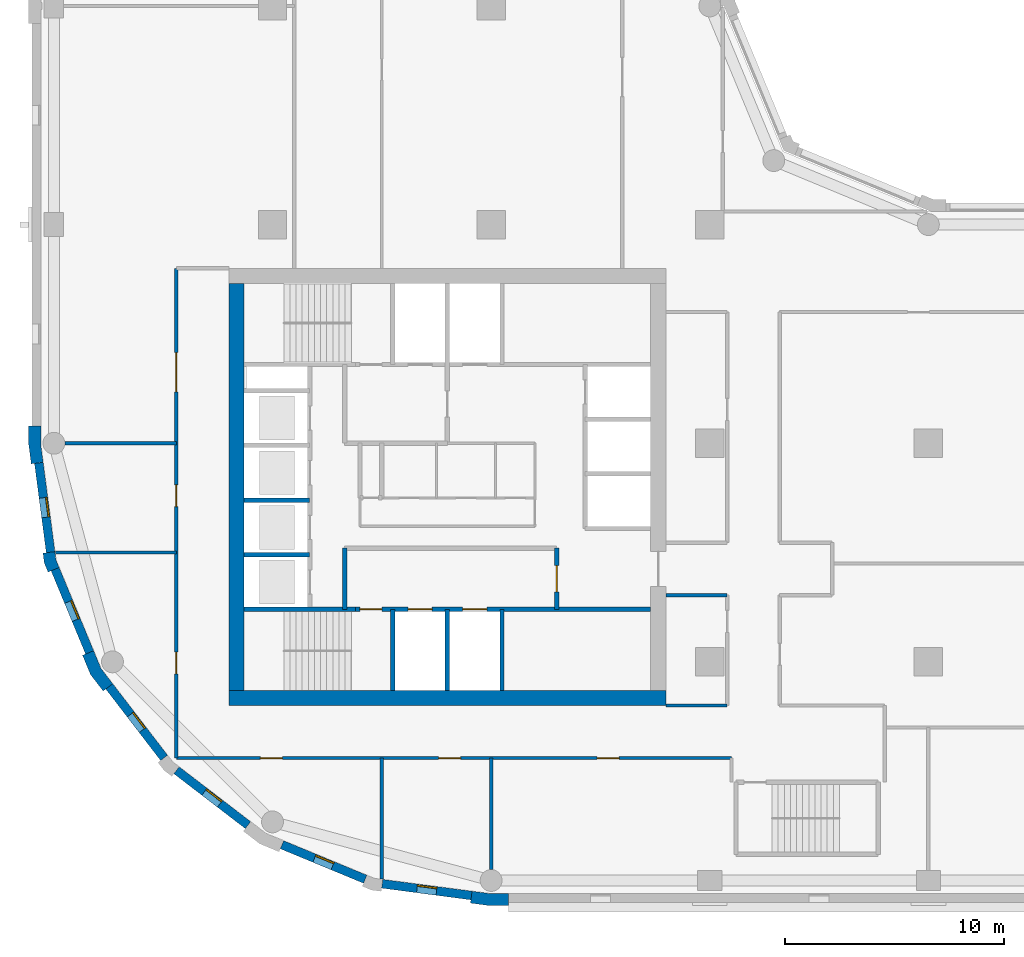
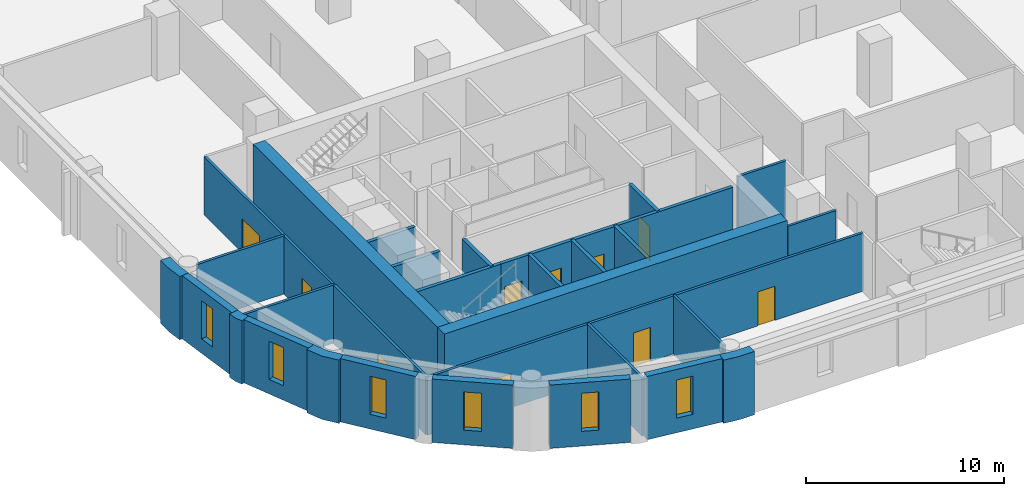
# One storey, part 2 of 9: 29 walls, 10 doors, 6 windows, 16 openings.
"""IFC4 building model written with IfcOpenShell, lengths in metres."""

from ifc_helpers import new_model, si_unit, direction, frame, frame_2d, origin, place, context, subcontext, project, spatial, polyline, rectangle, outline, extrude, material, layer, layer_set, type_object, element, fill, save


model = new_model("IFC4")

# Units and contexts
model_context = context("Model", 3, precision=1e-05, world=origin(), true_north=direction((0.0, 1.0)))
body_context = subcontext(model_context, "Body", "Model", "MODEL_VIEW")
ifc_project = project(units=[si_unit("LENGTHUNIT", "METRE"), si_unit("AREAUNIT", "SQUARE_METRE"), si_unit("VOLUMEUNIT", "CUBIC_METRE"), si_unit("PLANEANGLEUNIT", "RADIAN"), si_unit("MASSUNIT", "GRAM", prefix="KILO")], contexts=[model_context])

# Site, building, storey
site_placement = place(None, origin())
site = spatial("IfcSite", under=ifc_project, at=site_placement, CompositionType="ELEMENT")
building_placement = place(site_placement, origin())
building = spatial("IfcBuilding", under=site, at=building_placement, Name="Qaws Garden Tower", CompositionType="ELEMENT")
storey_placement = place(building_placement, frame((0.0, 0.0, 131.699951171875)))
storey = spatial("IfcBuildingStorey", under=building, at=storey_placement, Name="L31", CompositionType="ELEMENT", Elevation=131.699951171875)

# Wall, opening, window
ifc_material_1 = material(Name="Clay facing brick masonry", Category="masonry")
ifc_layer_1 = layer(ifc_material_1, 0.39990234375)
ifc_layer_set_1 = layer_set([ifc_layer_1], Name="Clay facing brick masonry")
wall_type_1 = type_object("IfcWallType", Name="Brick infill wall 400", PredefinedType="SOLIDWALL", material=ifc_layer_set_1)
wall_1_placement = place(storey_placement, frame((-0.688720703125, 19.102294921875, 0.0), z_axis=(0.0, 0.0, 1.0), x_axis=(0.130514280502, -0.991446429508, 0.0)))
wall_1 = element("IfcWall", 1, at=wall_1_placement, inside=storey, type_object=wall_type_1, Name="E-L31-infill-25", PredefinedType="SOLIDWALL", context=body_context, shape_type="SweptSolid", body=[
    extrude(rectangle(XDim=4.120849609375, YDim=0.39990234375, at=frame_2d((2.060546875, 0.0))), origin(), (0.0, 0.0, 1.0), 3.900146484375),
])
opening_1_placement = place(wall_1_placement, frame((1.610595703125, 0.0, 0.89990234375)))
opening_1 = element("IfcOpeningElement", 2, at=opening_1_placement, cuts=wall_1, Name="Opening W09", PredefinedType="OPENING", context=body_context, shape_type="SweptSolid", body=[
    extrude(rectangle(XDim=0.89990234375, YDim=2.35009765625, at=frame_2d((0.449951171875, 1.175048828125))), frame((0.0, 0.2099609375, 0.0), z_axis=(0.0, -1.0, 0.0), x_axis=(1.0, 0.0, 0.0)), (0.0, 0.0, 1.0), 0.419921875),
])
ifc_material_2 = material(Name="Aluminium framed window, clear glazing", Category="aluminium")
window_type = type_object("IfcWindowType", Name="Slit window 900 x 2350", PartitioningType="SINGLE_PANEL", PredefinedType="WINDOW", material=ifc_material_2)
window_1_placement = place(opening_1_placement, origin())
window_1 = element("IfcWindow", 3, at=window_1_placement, inside=storey, type_object=window_type, Name="E-L31-window-25-0", OverallHeight=2.35009765625, OverallWidth=0.89990234375, PartitioningType="SINGLE_PANEL", PredefinedType="WINDOW", context=body_context, shape_type="SweptSolid", body=[
    extrude(rectangle(XDim=0.89990234375, YDim=2.35009765625, at=frame_2d((0.449951171875, 1.175048828125))), frame((0.0, 0.159912109375, 0.0), z_axis=(0.0, -1.0, 0.0), x_axis=(1.0, 0.0, 0.0)), (0.0, 0.0, 1.0), 0.06005859375),
])
fill(opening_1, window_1)

wall_2_placement = place(storey_placement, frame((0.05712890625, 14.240234375, 0.0), z_axis=(0.0, 0.0, 1.0), x_axis=(0.382721546029, -0.923863744394, 0.0)))
wall_2 = element("IfcWall", 4, at=wall_2_placement, inside=storey, type_object=wall_type_1, Name="E-L31-infill-26", PredefinedType="SOLIDWALL", context=body_context, shape_type="SweptSolid", body=[
    extrude(rectangle(XDim=4.120849609375, YDim=0.39990234375, at=frame_2d((2.060546875, 0.0))), origin(), (0.0, 0.0, 1.0), 3.900146484375),
])
opening_2_placement = place(wall_2_placement, frame((1.610595703125, 0.0, 0.89990234375)))
opening_2 = element("IfcOpeningElement", 5, at=opening_2_placement, cuts=wall_2, Name="Opening W09", PredefinedType="OPENING", context=body_context, shape_type="SweptSolid", body=[
    extrude(rectangle(XDim=0.89990234375, YDim=2.35009765625, at=frame_2d((0.449951171875, 1.175048828125))), frame((0.0, 0.2099609375, 0.0), z_axis=(0.0, -1.0, 0.0), x_axis=(1.0, 0.0, 0.0)), (0.0, 0.0, 1.0), 0.419921875),
])
window_2_placement = place(opening_2_placement, origin())
window_2 = element("IfcWindow", 6, at=window_2_placement, inside=storey, type_object=window_type, Name="E-L31-window-26-0", OverallHeight=2.35009765625, OverallWidth=0.89990234375, PartitioningType="SINGLE_PANEL", PredefinedType="WINDOW", context=body_context, shape_type="SweptSolid", body=[
    extrude(rectangle(XDim=0.89990234375, YDim=2.35009765625, at=frame_2d((0.449951171875, 1.175048828125))), frame((0.0, 0.159912109375, 0.0), z_axis=(0.0, -1.0, 0.0), x_axis=(1.0, 0.0, 0.0)), (0.0, 0.0, 1.0), 0.06005859375),
])
fill(opening_2, window_2)

wall_3_placement = place(storey_placement, frame((2.53173828125, 8.87841796875, 0.0), z_axis=(0.0, 0.0, 1.0), x_axis=(0.608759824817, -0.793354571229, 0.0)))
wall_3 = element("IfcWall", 7, at=wall_3_placement, inside=storey, type_object=wall_type_1, Name="E-L31-infill-27", PredefinedType="SOLIDWALL", context=body_context, shape_type="SweptSolid", body=[
    extrude(rectangle(XDim=4.12109375, YDim=0.39990234375, at=frame_2d((2.060546875, 0.0))), origin(), (0.0, 0.0, 1.0), 3.900146484375),
])
opening_3_placement = place(wall_3_placement, frame((1.610595703125, 0.0, 0.89990234375)))
opening_3 = element("IfcOpeningElement", 8, at=opening_3_placement, cuts=wall_3, Name="Opening W09", PredefinedType="OPENING", context=body_context, shape_type="SweptSolid", body=[
    extrude(rectangle(XDim=0.89990234375, YDim=2.35009765625, at=frame_2d((0.449951171875, 1.175048828125))), frame((0.0, 0.2099609375, 0.0), z_axis=(0.0, -1.0, 0.0), x_axis=(1.0, 0.0, 0.0)), (0.0, 0.0, 1.0), 0.419921875),
])
window_3_placement = place(opening_3_placement, origin())
window_3 = element("IfcWindow", 9, at=window_3_placement, inside=storey, type_object=window_type, Name="E-L31-window-27-0", OverallHeight=2.35009765625, OverallWidth=0.89990234375, PartitioningType="SINGLE_PANEL", PredefinedType="WINDOW", context=body_context, shape_type="SweptSolid", body=[
    extrude(rectangle(XDim=0.89990234375, YDim=2.35009765625, at=frame_2d((0.449951171875, 1.175048828125))), frame((0.0, 0.159912109375, 0.0), z_axis=(0.0, -1.0, 0.0), x_axis=(1.0, 0.0, 0.0)), (0.0, 0.0, 1.0), 0.06005859375),
])
fill(opening_3, window_3)

wall_4_placement = place(storey_placement, frame((5.60888671875, 5.04052734375, 0.0), z_axis=(0.0, 0.0, 1.0), x_axis=(0.793354571229, -0.608759824817, 0.0)))
wall_4 = element("IfcWall", 10, at=wall_4_placement, inside=storey, type_object=wall_type_1, Name="E-L31-infill-28", PredefinedType="SOLIDWALL", context=body_context, shape_type="SweptSolid", body=[
    extrude(rectangle(XDim=4.12109375, YDim=0.39990234375, at=frame_2d((2.060546875, 0.0))), origin(), (0.0, 0.0, 1.0), 3.900146484375),
])
opening_4_placement = place(wall_4_placement, frame((1.610595703125, 0.0, 0.89990234375)))
opening_4 = element("IfcOpeningElement", 11, at=opening_4_placement, cuts=wall_4, Name="Opening W09", PredefinedType="OPENING", context=body_context, shape_type="SweptSolid", body=[
    extrude(rectangle(XDim=0.89990234375, YDim=2.35009765625, at=frame_2d((0.449951171875, 1.175048828125))), frame((0.0, 0.2099609375, 0.0), z_axis=(0.0, -1.0, 0.0), x_axis=(1.0, 0.0, 0.0)), (0.0, 0.0, 1.0), 0.419921875),
])
window_4_placement = place(opening_4_placement, origin())
window_4 = element("IfcWindow", 12, at=window_4_placement, inside=storey, type_object=window_type, Name="E-L31-window-28-0", OverallHeight=2.35009765625, OverallWidth=0.89990234375, PartitioningType="SINGLE_PANEL", PredefinedType="WINDOW", context=body_context, shape_type="SweptSolid", body=[
    extrude(rectangle(XDim=0.89990234375, YDim=2.35009765625, at=frame_2d((0.449951171875, 1.175048828125))), frame((0.0, 0.159912109375, 0.0), z_axis=(0.0, -1.0, 0.0), x_axis=(1.0, 0.0, 0.0)), (0.0, 0.0, 1.0), 0.06005859375),
])
fill(opening_4, window_4)

wall_5_placement = place(storey_placement, frame((10.43310546875, 1.63427734375, 0.0), z_axis=(0.0, 0.0, 1.0), x_axis=(0.923863744394, -0.382721546029, 0.0)))
wall_5 = element("IfcWall", 13, at=wall_5_placement, inside=storey, type_object=wall_type_1, Name="E-L31-infill-29", PredefinedType="SOLIDWALL", context=body_context, shape_type="SweptSolid", body=[
    extrude(rectangle(XDim=4.120849609375, YDim=0.39990234375, at=frame_2d((2.060546875, 0.0))), origin(), (0.0, 0.0, 1.0), 3.900146484375),
])
opening_5_placement = place(wall_5_placement, frame((1.610595703125, 0.0, 0.89990234375)))
opening_5 = element("IfcOpeningElement", 14, at=opening_5_placement, cuts=wall_5, Name="Opening W09", PredefinedType="OPENING", context=body_context, shape_type="SweptSolid", body=[
    extrude(rectangle(XDim=0.89990234375, YDim=2.35009765625, at=frame_2d((0.449951171875, 1.175048828125))), frame((0.0, 0.2099609375, 0.0), z_axis=(0.0, -1.0, 0.0), x_axis=(1.0, 0.0, 0.0)), (0.0, 0.0, 1.0), 0.419921875),
])
window_5_placement = place(opening_5_placement, origin())
window_5 = element("IfcWindow", 15, at=window_5_placement, inside=storey, type_object=window_type, Name="E-L31-window-29-0", OverallHeight=2.35009765625, OverallWidth=0.89990234375, PartitioningType="SINGLE_PANEL", PredefinedType="WINDOW", context=body_context, shape_type="SweptSolid", body=[
    extrude(rectangle(XDim=0.89990234375, YDim=2.35009765625, at=frame_2d((0.449951171875, 1.175048828125))), frame((0.0, 0.159912109375, 0.0), z_axis=(0.0, -1.0, 0.0), x_axis=(1.0, 0.0, 0.0)), (0.0, 0.0, 1.0), 0.06005859375),
])
fill(opening_5, window_5)

wall_6_placement = place(storey_placement, frame((15.0166015625, -0.15087890625, 0.0), z_axis=(0.0, 0.0, 1.0), x_axis=(0.991446429508, -0.130514280502, 0.0)))
wall_6 = element("IfcWall", 16, at=wall_6_placement, inside=storey, type_object=wall_type_1, Name="E-L31-infill-30", PredefinedType="SOLIDWALL", context=body_context, shape_type="SweptSolid", body=[
    extrude(rectangle(XDim=4.120849609375, YDim=0.39990234375, at=frame_2d((2.060546875, 0.0))), origin(), (0.0, 0.0, 1.0), 3.900146484375),
])
opening_6_placement = place(wall_6_placement, frame((1.610595703125, 0.0, 0.89990234375)))
opening_6 = element("IfcOpeningElement", 17, at=opening_6_placement, cuts=wall_6, Name="Opening W09", PredefinedType="OPENING", context=body_context, shape_type="SweptSolid", body=[
    extrude(rectangle(XDim=0.89990234375, YDim=2.35009765625, at=frame_2d((0.449951171875, 1.175048828125))), frame((0.0, 0.2099609375, 0.0), z_axis=(0.0, -1.0, 0.0), x_axis=(1.0, 0.0, 0.0)), (0.0, 0.0, 1.0), 0.419921875),
])
window_6_placement = place(opening_6_placement, origin())
window_6 = element("IfcWindow", 18, at=window_6_placement, inside=storey, type_object=window_type, Name="E-L31-window-30-0", OverallHeight=2.35009765625, OverallWidth=0.89990234375, PartitioningType="SINGLE_PANEL", PredefinedType="WINDOW", context=body_context, shape_type="SweptSolid", body=[
    extrude(rectangle(XDim=0.89990234375, YDim=2.35009765625, at=frame_2d((0.449951171875, 1.175048828125))), frame((0.0, 0.159912109375, 0.0), z_axis=(0.0, -1.0, 0.0), x_axis=(1.0, 0.0, 0.0)), (0.0, 0.0, 1.0), 0.06005859375),
])
fill(opening_6, window_6)

# Walls
ifc_material_3 = material(Name="Clay facing brick masonry", Category="masonry")
ifc_layer_2 = layer(ifc_material_3, 0.550048828125)
ifc_layer_set_2 = layer_set([ifc_layer_2], Name="Clay facing brick masonry")
wall_type_2 = type_object("IfcWallType", Name="Brick kink pier 550 x 600", PredefinedType="SOLIDWALL", material=ifc_layer_set_2)
placement = place(storey_placement, origin())
element("IfcWall", 19, at=placement, inside=storey, type_object=wall_type_2, Name="E-L31-pier-26", PredefinedType="SOLIDWALL", context=body_context, shape_type="SweptSolid", body=[
    extrude(outline(polyline([(-0.34912109375, 14.990478515625), (-0.497802734375, 14.970947265625), (-0.43896484375, 14.5234375), (-0.26611328125, 14.1064453125), (-0.127685546875, 14.163818359375), (0.241943359375, 14.31689453125), (0.096923828125, 14.6669921875), (0.04736328125, 15.042724609375), (-0.34912109375, 14.990478515625)])), origin(), (0.0, 0.0, 1.0), 3.900146484375),
])
ifc_material_4 = material(Name="Clay facing brick masonry", Category="masonry")
ifc_layer_3 = layer(ifc_material_4, 0.550048828125)
ifc_layer_set_3 = layer_set([ifc_layer_3], Name="Clay facing brick masonry")
wall_type_3 = type_object("IfcWallType", Name="Brick pier 550 x 1600", PredefinedType="SOLIDWALL", material=ifc_layer_set_3)
element("IfcWall", 20, at=placement, inside=storey, type_object=wall_type_3, Name="E-L31-pier-00", PredefinedType="SOLIDWALL", context=body_context, shape_type="SweptSolid", body=[
    extrude(outline(polyline([(19.076416015625, -0.886962890625), (19.056640625, -1.03564453125), (19.924560546875, -1.14990234375), (20.800048828125, -1.14990234375), (20.800048828125, -1.0), (20.800048828125, -0.60009765625), (19.960693359375, -0.60009765625), (19.12841796875, -0.490478515625), (19.076416015625, -0.886962890625)])), origin(), (0.0, 0.0, 1.0), 3.900146484375),
])
element("IfcWall", 21, at=placement, inside=storey, type_object=wall_type_3, Name="E-L31-pier-25", PredefinedType="SOLIDWALL", context=body_context, shape_type="SweptSolid", body=[
    extrude(outline(polyline([(-1.0, 20.800048828125), (-1.14990234375, 20.800048828125), (-1.14990234375, 19.924560546875), (-1.03564453125, 19.056640625), (-0.886962890625, 19.076416015625), (-0.490478515625, 19.12841796875), (-0.60009765625, 19.960693359375), (-0.60009765625, 20.800048828125), (-1.0, 20.800048828125)])), origin(), (0.0, 0.0, 1.0), 3.900146484375),
])
element("IfcWall", 22, at=placement, inside=storey, type_object=wall_type_3, Name="E-L31-pier-27", PredefinedType="SOLIDWALL", context=body_context, shape_type="SweptSolid", body=[
    extrude(outline(polyline([(1.449462890625, 10.3564453125), (1.310791015625, 10.299072265625), (1.675048828125, 9.419921875), (2.254150390625, 8.665283203125), (2.373046875, 8.756591796875), (2.6904296875, 9.0), (2.1552734375, 9.697509765625), (1.819091796875, 10.509521484375), (1.449462890625, 10.3564453125)])), origin(), (0.0, 0.0, 1.0), 3.900146484375),
])
ifc_material_5 = material(Name="Concrete C70", Category="concrete")
ifc_layer_4 = layer(ifc_material_5, 0.199951171875)
ifc_layer_set_4 = layer_set([ifc_layer_4], Name="Concrete C70")
wall_type_4 = type_object("IfcWallType", Name="Core shaft wall 200 C70", PredefinedType="SHEAR", material=ifc_layer_set_4)
wall_11_placement = place(storey_placement, frame((8.699951171875, 12.39990234375, 0.0), z_axis=(0.0, 0.0, 1.0), x_axis=(1.0, 0.0, 0.0)))
element("IfcWall", 23, at=wall_11_placement, inside=storey, type_object=wall_type_4, Name="Shaft wall", PredefinedType="SHEAR", context=body_context, shape_type="SweptSolid", body=[
    extrude(rectangle(XDim=5.10009765625, YDim=0.199951171875, at=frame_2d((2.550048828125, 0.0))), origin(), (0.0, 0.0, 1.0), 3.580078125),
])

# Wall, openings, doors
wall_12_placement = place(storey_placement, frame((13.800048828125, 12.39990234375, 0.0), z_axis=(0.0, 0.0, 1.0), x_axis=(1.0, 0.0, 0.0)))
wall_12 = element("IfcWall", 24, at=wall_12_placement, inside=storey, type_object=wall_type_4, Name="Shaft wall", PredefinedType="SHEAR", context=body_context, shape_type="SweptSolid", body=[
    extrude(rectangle(XDim=13.5, YDim=0.199951171875, at=frame_2d((6.75, 0.0))), origin(), (0.0, 0.0, 1.0), 3.580078125),
])
opening_7_placement = place(wall_12_placement, frame((2.39990234375, 0.0, 0.0)))
opening_7 = element("IfcOpeningElement", 25, at=opening_7_placement, cuts=wall_12, Name="Opening LD06", PredefinedType="OPENING", context=body_context, shape_type="SweptSolid", body=[
    extrude(rectangle(XDim=1.10009765625, YDim=2.10009765625, at=frame_2d((0.550048828125, 1.050048828125))), frame((0.0, 0.10986328125, 0.0), z_axis=(0.0, -1.0, 0.0), x_axis=(1.0, 0.0, 0.0)), (0.0, 0.0, 1.0), 0.219970703125),
])
opening_8_placement = place(wall_12_placement, frame((4.89990234375, 0.0, 0.0)))
opening_8 = element("IfcOpeningElement", 26, at=opening_8_placement, cuts=wall_12, Name="Opening LD07", PredefinedType="OPENING", context=body_context, shape_type="SweptSolid", body=[
    extrude(rectangle(XDim=1.10009765625, YDim=2.10009765625, at=frame_2d((0.550048828125, 1.050048828125))), frame((0.0, 0.10986328125, 0.0), z_axis=(0.0, -1.0, 0.0), x_axis=(1.0, 0.0, 0.0)), (0.0, 0.0, 1.0), 0.219970703125),
])
opening_9_placement = place(wall_12_placement, frame((0.199951171875, 0.0, 0.0)))
opening_9 = element("IfcOpeningElement", 27, at=opening_9_placement, cuts=wall_12, Name="Opening SD10", PredefinedType="OPENING", context=body_context, shape_type="SweptSolid", body=[
    extrude(rectangle(XDim=1.0, YDim=2.10009765625, at=frame_2d((0.5, 1.050048828125))), frame((0.0, 0.10986328125, 0.0), z_axis=(0.0, -1.0, 0.0), x_axis=(1.0, 0.0, 0.0)), (0.0, 0.0, 1.0), 0.219970703125),
])
ifc_material_6 = material(Name="Steel S235", Category="steel")
door_type_1 = type_object("IfcDoorType", Name="Landing door 1100x2100", OperationType="DOUBLE_DOOR_SLIDING", PredefinedType="DOOR", material=ifc_material_6)
door_1_placement = place(opening_7_placement, origin())
door_1 = element("IfcDoor", 28, at=door_1_placement, inside=storey, type_object=door_type_1, Name="Lift FF1 landing door", OperationType="DOUBLE_DOOR_SLIDING", OverallHeight=2.10009765625, OverallWidth=1.10009765625, PredefinedType="DOOR", context=body_context, shape_type="SweptSolid", body=[
    extrude(rectangle(XDim=1.10009765625, YDim=2.10009765625, at=frame_2d((0.550048828125, 1.050048828125))), frame((0.0, 0.02490234375, 0.0), z_axis=(0.0, -1.0, 0.0), x_axis=(1.0, 0.0, 0.0)), (0.0, 0.0, 1.0), 0.050048828125),
])
fill(opening_7, door_1)
door_2_placement = place(opening_8_placement, origin())
door_2 = element("IfcDoor", 29, at=door_2_placement, inside=storey, type_object=door_type_1, Name="Lift FF2 landing door", OperationType="DOUBLE_DOOR_SLIDING", OverallHeight=2.10009765625, OverallWidth=1.10009765625, PredefinedType="DOOR", context=body_context, shape_type="SweptSolid", body=[
    extrude(rectangle(XDim=1.10009765625, YDim=2.10009765625, at=frame_2d((0.550048828125, 1.050048828125))), frame((0.0, 0.02490234375, 0.0), z_axis=(0.0, -1.0, 0.0), x_axis=(1.0, 0.0, 0.0)), (0.0, 0.0, 1.0), 0.050048828125),
])
fill(opening_8, door_2)
ifc_material_7 = material(Name="Steel S235", Category="steel")
door_type_2 = type_object("IfcDoorType", Name="Stair door 1000x2100", OperationType="SINGLE_SWING_RIGHT", PredefinedType="DOOR", material=ifc_material_7)
door_3_placement = place(opening_9_placement, frame((1.0, 0.0, 0.0), z_axis=(0.0, 0.0, 1.0), x_axis=(-1.0, 0.0, 0.0)))
door_3 = element("IfcDoor", 30, at=door_3_placement, inside=storey, type_object=door_type_2, Name="Stair 1 door", OperationType="SINGLE_SWING_LEFT", OverallHeight=2.10009765625, OverallWidth=1.0, PredefinedType="DOOR", context=body_context, shape_type="SweptSolid", body=[
    extrude(rectangle(XDim=1.0, YDim=2.10009765625, at=frame_2d((0.5, 1.050048828125))), frame((0.0, 0.02490234375, 0.0), z_axis=(0.0, -1.0, 0.0), x_axis=(1.0, 0.0, 0.0)), (0.0, 0.0, 1.0), 0.050048828125),
])
fill(opening_9, door_3)

# Walls
for number, where, z_axis, x_axis, name in (
    (31, (8.699951171875, 14.89990234375, 0.0), (0.0, 0.0, 1.0), (1.0, 0.0, 0.0), "Shaft wall"),
    (32, (8.699951171875, 17.39990234375, 0.0), (0.0, 0.0, 1.0), (1.0, 0.0, 0.0), "Shaft wall"),
):
    element("IfcWall", number, at=place(storey_placement, frame(where, z_axis=z_axis, x_axis=x_axis)), inside=storey, type_object=wall_type_4, Name=name, PredefinedType="SHEAR", context=body_context, shape_type="SweptSolid", body=[
        extrude(rectangle(XDim=3.0, YDim=0.199951171875, at=frame_2d((1.5, 0.0))), origin(), (0.0, 0.0, 1.0), 3.580078125),
    ])
wall_13_placement = place(storey_placement, frame((13.300048828125, 12.39990234375, 0.0), z_axis=(0.0, 0.0, 1.0), x_axis=(0.0, 1.0, 0.0)))
element("IfcWall", 33, at=wall_13_placement, inside=storey, type_object=wall_type_4, Name="Shaft wall", PredefinedType="SHEAR", context=body_context, shape_type="SweptSolid", body=[
    extrude(rectangle(XDim=2.800048828125, YDim=0.199951171875, at=frame_2d((1.39990234375, 0.0))), origin(), (0.0, 0.0, 1.0), 3.580078125),
])
for number, where, z_axis, x_axis, name in (
    (34, (15.5, 8.699951171875, 0.0), (0.0, 0.0, 1.0), (0.0, 1.0, 0.0), "Shaft wall"),
    (35, (18.0, 8.699951171875, 0.0), (0.0, 0.0, 1.0), (0.0, 1.0, 0.0), "Shaft wall"),
    (36, (20.5, 8.699951171875, 0.0), (0.0, 0.0, 1.0), (0.0, 1.0, 0.0), "Shaft wall"),
):
    element("IfcWall", number, at=place(storey_placement, frame(where, z_axis=z_axis, x_axis=x_axis)), inside=storey, type_object=wall_type_4, Name=name, PredefinedType="SHEAR", context=body_context, shape_type="SweptSolid", body=[
        extrude(rectangle(XDim=3.699951171875, YDim=0.199951171875, at=frame_2d((1.85009765625, 0.0))), origin(), (0.0, 0.0, 1.0), 3.580078125),
    ])

# Wall, opening, door
wall_14_placement = place(storey_placement, frame((23.0, 12.39990234375, 0.0), z_axis=(0.0, 0.0, 1.0), x_axis=(0.0, 1.0, 0.0)))
wall_14 = element("IfcWall", 37, at=wall_14_placement, inside=storey, type_object=wall_type_4, Name="Shaft wall", PredefinedType="SHEAR", context=body_context, shape_type="SweptSolid", body=[
    extrude(rectangle(XDim=2.800048828125, YDim=0.199951171875, at=frame_2d((1.39990234375, 0.0))), origin(), (0.0, 0.0, 1.0), 3.580078125),
])
opening_10_placement = place(wall_14_placement, frame((0.800048828125, 0.0, 0.0)))
opening_10 = element("IfcOpeningElement", 38, at=opening_10_placement, cuts=wall_14, Name="Opening FD15", PredefinedType="OPENING", context=body_context, shape_type="SweptSolid", body=[
    extrude(rectangle(XDim=1.199951171875, YDim=2.10009765625, at=frame_2d((0.60009765625, 1.050048828125))), frame((0.0, 0.10986328125, 0.0), z_axis=(0.0, -1.0, 0.0), x_axis=(1.0, 0.0, 0.0)), (0.0, 0.0, 1.0), 0.219970703125),
])
ifc_material_8 = material(Name="Steel S235", Category="steel")
door_type_3 = type_object("IfcDoorType", Name="Lobby door 1200x2100", OperationType="DOUBLE_DOOR_SINGLE_SWING", PredefinedType="DOOR", material=ifc_material_8)
door_4_placement = place(opening_10_placement, origin())
door_4 = element("IfcDoor", 39, at=door_4_placement, inside=storey, type_object=door_type_3, Name="Fire-fighting lobby door", OperationType="DOUBLE_DOOR_SINGLE_SWING", OverallHeight=2.10009765625, OverallWidth=1.199951171875, PredefinedType="DOOR", context=body_context, shape_type="SweptSolid", body=[
    extrude(rectangle(XDim=1.199951171875, YDim=2.10009765625, at=frame_2d((0.60009765625, 1.050048828125))), frame((0.0, 0.02490234375, 0.0), z_axis=(0.0, -1.0, 0.0), x_axis=(1.0, 0.0, 0.0)), (0.0, 0.0, 1.0), 0.050048828125),
])
fill(opening_10, door_4)

# Walls
ifc_material_9 = material(Name="Concrete C70", Category="concrete")
ifc_layer_5 = layer(ifc_material_9, 0.699951171875)
ifc_layer_set_5 = layer_set([ifc_layer_5], Name="Concrete C70")
wall_type_5 = type_object("IfcWallType", Name="Core wall 700 C70", PredefinedType="SHEAR", material=ifc_layer_set_5)
wall_15_placement = place(storey_placement, frame((8.0, 8.35009765625, 0.0), z_axis=(0.0, 0.0, 1.0), x_axis=(1.0, 0.0, 0.0)))
element("IfcWall", 40, at=wall_15_placement, inside=storey, type_object=wall_type_5, Name="Core wall L31 south", PredefinedType="SHEAR", context=body_context, shape_type="SweptSolid", body=[
    extrude(rectangle(XDim=20.0, YDim=0.699951171875, at=frame_2d((10.0, 0.0))), origin(), (0.0, 0.0, 1.0), 3.900146484375),
])
wall_16_placement = place(storey_placement, frame((8.35009765625, 27.300048828125, 0.0), z_axis=(0.0, 0.0, 1.0), x_axis=(0.0, -1.0, 0.0)))
element("IfcWall", 41, at=wall_16_placement, inside=storey, type_object=wall_type_5, Name="Core wall L31 west", PredefinedType="SHEAR", context=body_context, shape_type="SweptSolid", body=[
    extrude(rectangle(XDim=18.60009765625, YDim=0.699951171875, at=frame_2d((9.300048828125, 0.0))), origin(), (0.0, 0.0, 1.0), 3.900146484375),
])

# Wall, openings, doors
ifc_material_10 = material(Name="Gypsum board partition")
ifc_layer_6 = layer(ifc_material_10, 0.14990234375)
ifc_layer_set_6 = layer_set([ifc_layer_6], Name="Gypsum board partition")
wall_type_6 = type_object("IfcWallType", Name="PARTITION 150 EI 60", PredefinedType="PARTITIONING", material=ifc_layer_set_6)
wall_17_placement = place(storey_placement, frame((5.60009765625, 5.60009765625, 0.0), z_axis=(0.0, 0.0, 1.0), x_axis=(0.0, 1.0, 0.0)))
wall_17 = element("IfcWall", 42, at=wall_17_placement, inside=storey, type_object=wall_type_6, Name="O-L31-wall-004", PredefinedType="PARTITIONING", context=body_context, shape_type="SweptSolid", body=[
    extrude(rectangle(XDim=22.39990234375, YDim=0.14990234375, at=frame_2d((11.199951171875, 0.0))), origin(), (0.0, 0.0, 1.0), 3.580078125),
])
opening_11_placement = place(wall_17_placement, frame((3.85009765625, 0.0, 0.0)))
opening_11 = element("IfcOpeningElement", 43, at=opening_11_placement, cuts=wall_17, Name="Opening B101", PredefinedType="OPENING", context=body_context, shape_type="SweptSolid", body=[
    extrude(rectangle(XDim=1.0, YDim=2.10009765625, at=frame_2d((0.5, 1.050048828125))), frame((0.0, 0.0849609375, 0.0), z_axis=(0.0, -1.0, 0.0), x_axis=(1.0, 0.0, 0.0)), (0.0, 0.0, 1.0), 0.169921875),
])
opening_12_placement = place(wall_17_placement, frame((11.5, 0.0, 0.0)))
opening_12 = element("IfcOpeningElement", 44, at=opening_12_placement, cuts=wall_17, Name="Opening B102", PredefinedType="OPENING", context=body_context, shape_type="SweptSolid", body=[
    extrude(rectangle(XDim=1.0, YDim=2.10009765625, at=frame_2d((0.5, 1.050048828125))), frame((0.0, 0.0849609375, 0.0), z_axis=(0.0, -1.0, 0.0), x_axis=(1.0, 0.0, 0.0)), (0.0, 0.0, 1.0), 0.169921875),
])
opening_13_placement = place(wall_17_placement, frame((16.75, 0.0, 0.0)))
opening_13 = element("IfcOpeningElement", 45, at=opening_13_placement, cuts=wall_17, Name="Opening B106", PredefinedType="OPENING", context=body_context, shape_type="SweptSolid", body=[
    extrude(rectangle(XDim=1.800048828125, YDim=2.10009765625, at=frame_2d((0.89990234375, 1.050048828125))), frame((0.0, 0.0849609375, 0.0), z_axis=(0.0, -1.0, 0.0), x_axis=(1.0, 0.0, 0.0)), (0.0, 0.0, 1.0), 0.169921875),
])
ifc_material_11 = material(Name="Timber door leaf", Category="wood")
door_type_4 = type_object("IfcDoorType", Name="DOUBLE DOOR 1800 X 2100", OperationType="DOUBLE_DOOR_SINGLE_SWING", PredefinedType="DOOR", material=ifc_material_11)
door_5_placement = place(opening_13_placement, origin())
door_5 = element("IfcDoor", 46, at=door_5_placement, inside=storey, type_object=door_type_4, Name="O-L31-door-006", OperationType="DOUBLE_DOOR_SINGLE_SWING", OverallHeight=2.10009765625, OverallWidth=1.800048828125, PredefinedType="DOOR", context=body_context, shape_type="SweptSolid", body=[
    extrude(rectangle(XDim=1.800048828125, YDim=2.10009765625, at=frame_2d((0.89990234375, 1.050048828125))), frame((0.0, 0.02490234375, 0.0), z_axis=(0.0, -1.0, 0.0), x_axis=(1.0, 0.0, 0.0)), (0.0, 0.0, 1.0), 0.050048828125),
])
fill(opening_13, door_5)
ifc_material_12 = material(Name="Timber door leaf", Category="wood")
door_type_5 = type_object("IfcDoorType", Name="TENANCY ENTRANCE DOOR 1000 X 2100", OperationType="SINGLE_SWING_LEFT", PredefinedType="DOOR", material=ifc_material_12)
door_6_placement = place(opening_11_placement, origin())
door_6 = element("IfcDoor", 47, at=door_6_placement, inside=storey, type_object=door_type_5, Name="O-L31-door-001", OperationType="SINGLE_SWING_RIGHT", OverallHeight=2.10009765625, OverallWidth=1.0, PredefinedType="DOOR", context=body_context, shape_type="SweptSolid", body=[
    extrude(rectangle(XDim=1.0, YDim=2.10009765625, at=frame_2d((0.5, 1.050048828125))), frame((0.0, 0.02490234375, 0.0), z_axis=(0.0, -1.0, 0.0), x_axis=(1.0, 0.0, 0.0)), (0.0, 0.0, 1.0), 0.050048828125),
])
fill(opening_11, door_6)
door_7_placement = place(opening_12_placement, origin())
door_7 = element("IfcDoor", 48, at=door_7_placement, inside=storey, type_object=door_type_5, Name="O-L31-door-002", OperationType="SINGLE_SWING_RIGHT", OverallHeight=2.10009765625, OverallWidth=1.0, PredefinedType="DOOR", context=body_context, shape_type="SweptSolid", body=[
    extrude(rectangle(XDim=1.0, YDim=2.10009765625, at=frame_2d((0.5, 1.050048828125))), frame((0.0, 0.02490234375, 0.0), z_axis=(0.0, -1.0, 0.0), x_axis=(1.0, 0.0, 0.0)), (0.0, 0.0, 1.0), 0.050048828125),
])
fill(opening_12, door_7)

# Walls
wall_18_placement = place(storey_placement, frame((15.0, 0.06298828125, 0.0), z_axis=(0.0, 0.0, 1.0), x_axis=(0.0, 1.0, 0.0)))
element("IfcWall", 49, at=wall_18_placement, inside=storey, type_object=wall_type_6, Name="O-L31-wall-008", PredefinedType="PARTITIONING", context=body_context, shape_type="SweptSolid", body=[
    extrude(rectangle(XDim=5.537109375, YDim=0.14990234375, at=frame_2d((2.7685546875, 0.0))), origin(), (0.0, 0.0, 1.0), 3.580078125),
])
wall_19_placement = place(storey_placement, frame((20.0, 0.5, 0.0), z_axis=(0.0, 0.0, 1.0), x_axis=(0.0, 1.0, 0.0)))
element("IfcWall", 50, at=wall_19_placement, inside=storey, type_object=wall_type_6, Name="O-L31-wall-011", PredefinedType="PARTITIONING", context=body_context, shape_type="SweptSolid", body=[
    extrude(rectangle(XDim=5.10009765625, YDim=0.14990234375, at=frame_2d((2.550048828125, 0.0))), origin(), (0.0, 0.0, 1.0), 3.580078125),
])

# Wall, openings, doors
wall_20_placement = place(storey_placement, frame((5.60009765625, 5.60009765625, 0.0), z_axis=(0.0, 0.0, 1.0), x_axis=(1.0, 0.0, 0.0)))
wall_20 = element("IfcWall", 51, at=wall_20_placement, inside=storey, type_object=wall_type_6, Name="O-L31-wall-025", PredefinedType="PARTITIONING", context=body_context, shape_type="SweptSolid", body=[
    extrude(rectangle(XDim=25.39990234375, YDim=0.14990234375, at=frame_2d((12.699951171875, 0.0))), origin(), (0.0, 0.0, 1.0), 3.580078125),
])
opening_14_placement = place(wall_20_placement, frame((3.85009765625, 0.0, 0.0)))
opening_14 = element("IfcOpeningElement", 52, at=opening_14_placement, cuts=wall_20, Name="Opening B111", PredefinedType="OPENING", context=body_context, shape_type="SweptSolid", body=[
    extrude(rectangle(XDim=1.0, YDim=2.10009765625, at=frame_2d((0.5, 1.050048828125))), frame((0.0, 0.0849609375, 0.0), z_axis=(0.0, -1.0, 0.0), x_axis=(1.0, 0.0, 0.0)), (0.0, 0.0, 1.0), 0.169921875),
])
opening_15_placement = place(wall_20_placement, frame((12.0, 0.0, 0.0)))
opening_15 = element("IfcOpeningElement", 53, at=opening_15_placement, cuts=wall_20, Name="Opening B112", PredefinedType="OPENING", context=body_context, shape_type="SweptSolid", body=[
    extrude(rectangle(XDim=1.0, YDim=2.10009765625, at=frame_2d((0.5, 1.050048828125))), frame((0.0, 0.0849609375, 0.0), z_axis=(0.0, -1.0, 0.0), x_axis=(1.0, 0.0, 0.0)), (0.0, 0.0, 1.0), 0.169921875),
])
opening_16_placement = place(wall_20_placement, frame((19.25, 0.0, 0.0)))
opening_16 = element("IfcOpeningElement", 54, at=opening_16_placement, cuts=wall_20, Name="Opening B113", PredefinedType="OPENING", context=body_context, shape_type="SweptSolid", body=[
    extrude(rectangle(XDim=1.0, YDim=2.10009765625, at=frame_2d((0.5, 1.050048828125))), frame((0.0, 0.0849609375, 0.0), z_axis=(0.0, -1.0, 0.0), x_axis=(1.0, 0.0, 0.0)), (0.0, 0.0, 1.0), 0.169921875),
])
door_8_placement = place(opening_14_placement, frame((1.0, 0.0, 0.0), z_axis=(0.0, 0.0, 1.0), x_axis=(-1.0, 0.0, 0.0)))
door_8 = element("IfcDoor", 55, at=door_8_placement, inside=storey, type_object=door_type_5, Name="O-L31-door-011", OperationType="SINGLE_SWING_LEFT", OverallHeight=2.10009765625, OverallWidth=1.0, PredefinedType="DOOR", context=body_context, shape_type="SweptSolid", body=[
    extrude(rectangle(XDim=1.0, YDim=2.10009765625, at=frame_2d((0.5, 1.050048828125))), frame((0.0, 0.02490234375, 0.0), z_axis=(0.0, -1.0, 0.0), x_axis=(1.0, 0.0, 0.0)), (0.0, 0.0, 1.0), 0.050048828125),
])
fill(opening_14, door_8)
door_9_placement = place(opening_15_placement, frame((1.0, 0.0, 0.0), z_axis=(0.0, 0.0, 1.0), x_axis=(-1.0, 0.0, 0.0)))
door_9 = element("IfcDoor", 56, at=door_9_placement, inside=storey, type_object=door_type_5, Name="O-L31-door-012", OperationType="SINGLE_SWING_LEFT", OverallHeight=2.10009765625, OverallWidth=1.0, PredefinedType="DOOR", context=body_context, shape_type="SweptSolid", body=[
    extrude(rectangle(XDim=1.0, YDim=2.10009765625, at=frame_2d((0.5, 1.050048828125))), frame((0.0, 0.02490234375, 0.0), z_axis=(0.0, -1.0, 0.0), x_axis=(1.0, 0.0, 0.0)), (0.0, 0.0, 1.0), 0.050048828125),
])
fill(opening_15, door_9)
door_10_placement = place(opening_16_placement, frame((1.0, 0.0, 0.0), z_axis=(0.0, 0.0, 1.0), x_axis=(-1.0, 0.0, 0.0)))
door_10 = element("IfcDoor", 57, at=door_10_placement, inside=storey, type_object=door_type_5, Name="O-L31-door-013", OperationType="SINGLE_SWING_LEFT", OverallHeight=2.10009765625, OverallWidth=1.0, PredefinedType="DOOR", context=body_context, shape_type="SweptSolid", body=[
    extrude(rectangle(XDim=1.0, YDim=2.10009765625, at=frame_2d((0.5, 1.050048828125))), frame((0.0, 0.02490234375, 0.0), z_axis=(0.0, -1.0, 0.0), x_axis=(1.0, 0.0, 0.0)), (0.0, 0.0, 1.0), 0.050048828125),
])
fill(opening_16, door_10)

# Walls
for number, where, z_axis, x_axis, name in (
    (58, (28.0, 8.0, 0.0), (0.0, 0.0, 1.0), (1.0, 0.0, 0.0), "O-L31-wall-027"),
    (59, (28.0, 13.050048828125, 0.0), (0.0, 0.0, 1.0), (1.0, 0.0, 0.0), "O-L31-wall-029"),
):
    element("IfcWall", number, at=place(storey_placement, frame(where, z_axis=z_axis, x_axis=x_axis)), inside=storey, type_object=wall_type_6, Name=name, PredefinedType="PARTITIONING", context=body_context, shape_type="SweptSolid", body=[
        extrude(rectangle(XDim=2.800048828125, YDim=0.14990234375, at=frame_2d((1.39990234375, 0.0))), origin(), (0.0, 0.0, 1.0), 3.580078125),
    ])
wall_21_placement = place(storey_placement, frame((0.06298828125, 15.0, 0.0), z_axis=(0.0, 0.0, 1.0), x_axis=(1.0, 0.0, 0.0)))
element("IfcWall", 60, at=wall_21_placement, inside=storey, type_object=wall_type_6, Name="O-L31-wall-032", PredefinedType="PARTITIONING", context=body_context, shape_type="SweptSolid", body=[
    extrude(rectangle(XDim=5.537109375, YDim=0.14990234375, at=frame_2d((2.7685546875, 0.0))), origin(), (0.0, 0.0, 1.0), 3.580078125),
])
wall_22_placement = place(storey_placement, frame((0.5, 20.0, 0.0), z_axis=(0.0, 0.0, 1.0), x_axis=(1.0, 0.0, 0.0)))
element("IfcWall", 61, at=wall_22_placement, inside=storey, type_object=wall_type_6, Name="O-L31-wall-035", PredefinedType="PARTITIONING", context=body_context, shape_type="SweptSolid", body=[
    extrude(rectangle(XDim=5.10009765625, YDim=0.14990234375, at=frame_2d((2.550048828125, 0.0))), origin(), (0.0, 0.0, 1.0), 3.580078125),
])

save(model, "model.ifc")
